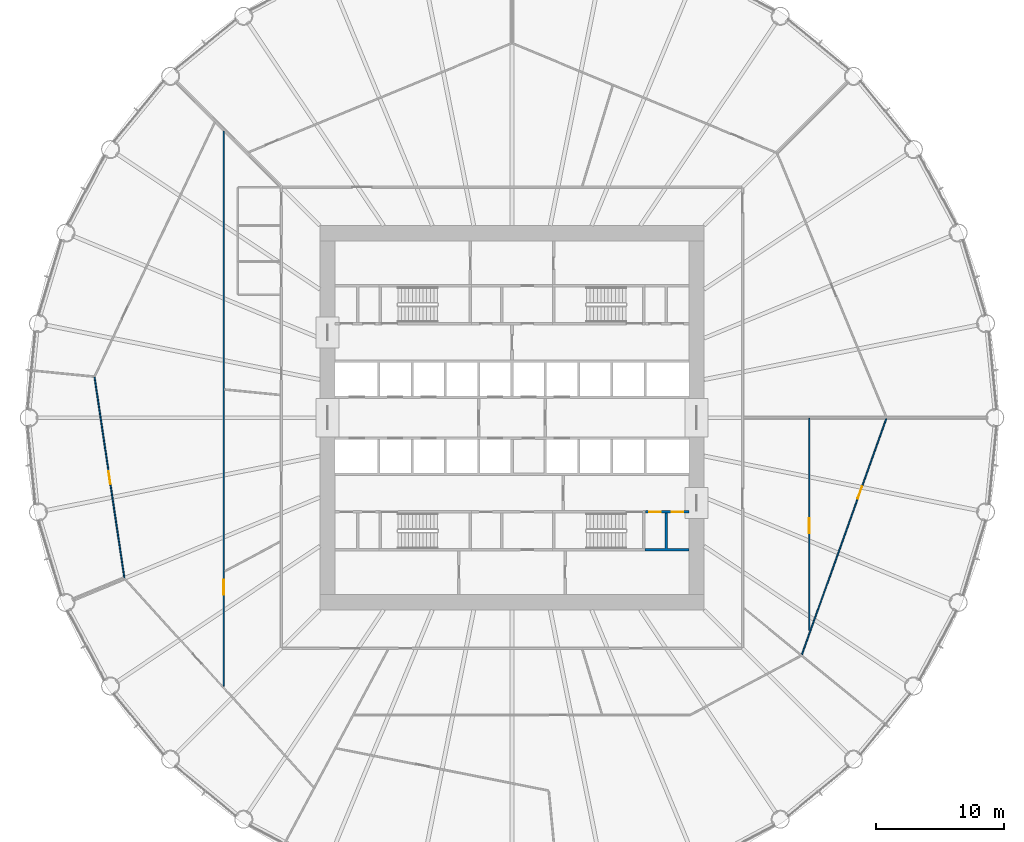
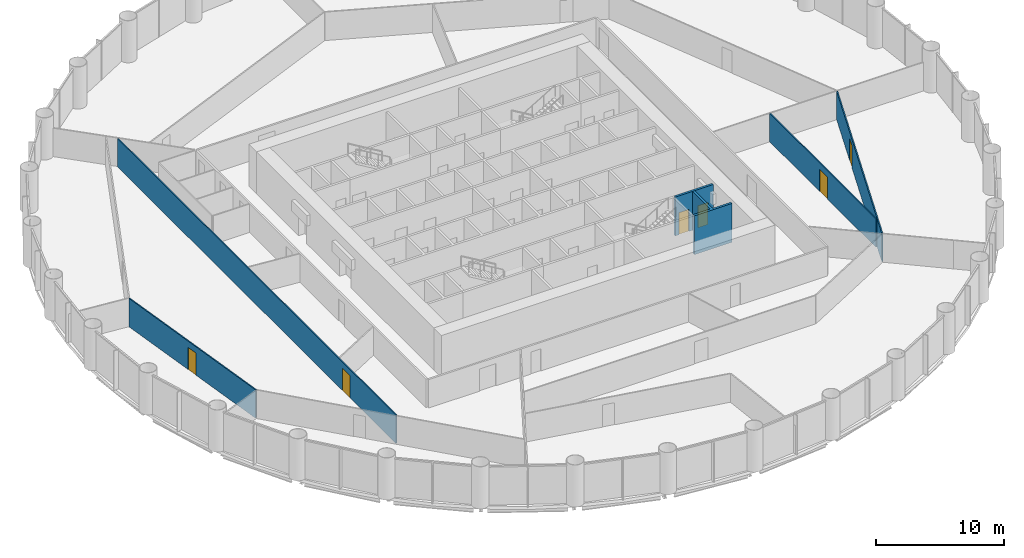
# One storey, part 11 of 15: 6 doors, 6 walls, 6 openings.
"""IFC4 building model written with IfcOpenShell, lengths in metres."""

from ifc_helpers import new_model, si_unit, direction, frame, frame_2d, origin, place, context, subcontext, project, spatial, polyline, rectangle, outline, extrude, material, layer, layer_set, type_object, element, fill, save


model = new_model("IFC4")

# Units and contexts
model_context = context("Model", 3, precision=1e-05, world=origin(), true_north=direction((0.0, 1.0)))
body_context = subcontext(model_context, "Body", "Model", "MODEL_VIEW")
ifc_project = project(units=[si_unit("LENGTHUNIT", "METRE"), si_unit("AREAUNIT", "SQUARE_METRE"), si_unit("VOLUMEUNIT", "CUBIC_METRE"), si_unit("PLANEANGLEUNIT", "RADIAN"), si_unit("MASSUNIT", "GRAM", prefix="KILO")], contexts=[model_context])

# Site, building, storey
site_placement = place(None, origin())
site = spatial("IfcSite", under=ifc_project, at=site_placement, CompositionType="ELEMENT")
building_placement = place(site_placement, origin())
building = spatial("IfcBuilding", under=site, at=building_placement, Name="Corvane Civic Tower", CompositionType="ELEMENT")
storey_placement = place(building_placement, frame((0.0, 0.0, 57.0)))
storey = spatial("IfcBuildingStorey", under=building, at=storey_placement, Name="L12", CompositionType="ELEMENT", Elevation=57.0)

# Wall, openings, doors
ifc_material_1 = material(Name="Concrete C30/37", Category="concrete")
ifc_layer_1 = layer(ifc_material_1, 0.199951171875)
ifc_layer_set_1 = layer_set([ifc_layer_1], Name="Concrete C30/37")
wall_type_1 = type_object("IfcWallType", Name="CR-WALL-200", PredefinedType="PARTITIONING", material=ifc_layer_set_1)
wall_1_placement = place(storey_placement, frame((10.39990234375, -7.35009765625, 0.0), z_axis=(0.0, 0.0, 1.0), x_axis=(1.0, 0.0, 0.0)))
wall_1 = element("IfcWall", 1, at=wall_1_placement, inside=storey, type_object=wall_type_1, Name="L12 core partition wall", PredefinedType="PARTITIONING", context=body_context, shape_type="SweptSolid", body=[
    extrude(rectangle(XDim=3.400146484375, YDim=0.199951171875, at=frame_2d((1.7001953125, 0.0))), origin(), (0.0, 0.0, 1.0), 3.699951171875),
])
opening_1_placement = place(wall_1_placement, frame((0.324951171875, 0.0, 0.0)))
opening_1 = element("IfcOpeningElement", 2, at=opening_1_placement, cuts=wall_1, Name="Opening L12.C18", PredefinedType="OPENING", context=body_context, shape_type="SweptSolid", body=[
    extrude(rectangle(XDim=0.89990234375, YDim=2.10009765625, at=frame_2d((0.449951171875, 1.050048828125))), frame((0.0, 0.10986328125, 0.0), z_axis=(0.0, -1.0, 0.0), x_axis=(1.0, 0.0, 0.0)), (0.0, 0.0, 1.0), 0.219970703125),
])
opening_2_placement = place(wall_1_placement, frame((2.074951171875, 0.0, 0.0)))
opening_2 = element("IfcOpeningElement", 3, at=opening_2_placement, cuts=wall_1, Name="Opening L12.C19", PredefinedType="OPENING", context=body_context, shape_type="SweptSolid", body=[
    extrude(rectangle(XDim=0.89990234375, YDim=2.10009765625, at=frame_2d((0.449951171875, 1.050048828125))), frame((0.0, 0.10986328125, 0.0), z_axis=(0.0, -1.0, 0.0), x_axis=(1.0, 0.0, 0.0)), (0.0, 0.0, 1.0), 0.219970703125),
])
ifc_material_2 = material(Name="Steel fire door leaf", Category="steel")
door_type_1 = type_object("IfcDoorType", Name="CR-DOOR-900", OperationType="SINGLE_SWING_LEFT", PredefinedType="DOOR", material=ifc_material_2)
door_1_placement = place(opening_1_placement, origin())
door_1 = element("IfcDoor", 4, at=door_1_placement, inside=storey, type_object=door_type_1, Name="L12 door", OperationType="SINGLE_SWING_LEFT", OverallHeight=2.10009765625, OverallWidth=0.89990234375, PredefinedType="DOOR", context=body_context, shape_type="SweptSolid", body=[
    extrude(rectangle(XDim=0.89990234375, YDim=2.10009765625, at=frame_2d((0.449951171875, 1.050048828125))), frame((0.0, 0.02490234375, 0.0), z_axis=(0.0, -1.0, 0.0), x_axis=(1.0, 0.0, 0.0)), (0.0, 0.0, 1.0), 0.050048828125),
])
fill(opening_1, door_1)
door_2_placement = place(opening_2_placement, origin())
door_2 = element("IfcDoor", 5, at=door_2_placement, inside=storey, type_object=door_type_1, Name="L12 door", OperationType="SINGLE_SWING_LEFT", OverallHeight=2.10009765625, OverallWidth=0.89990234375, PredefinedType="DOOR", context=body_context, shape_type="SweptSolid", body=[
    extrude(rectangle(XDim=0.89990234375, YDim=2.10009765625, at=frame_2d((0.449951171875, 1.050048828125))), frame((0.0, 0.02490234375, 0.0), z_axis=(0.0, -1.0, 0.0), x_axis=(1.0, 0.0, 0.0)), (0.0, 0.0, 1.0), 0.050048828125),
])
fill(opening_2, door_2)

# Wall
wall_2_placement = place(storey_placement, origin())
element("IfcWall", 6, at=wall_2_placement, inside=storey, type_object=wall_type_1, Name="L12 core partition wall", PredefinedType="PARTITIONING", context=body_context, shape_type="SweptSolid", body=[
    extrude(outline(polyline([(11.949951171875, -7.449951171875), (12.14990234375, -7.449951171875), (12.14990234375, -10.199951171875), (13.800048828125, -10.199951171875), (13.800048828125, -10.39990234375), (10.39990234375, -10.39990234375), (10.39990234375, -10.199951171875), (11.949951171875, -10.199951171875), (11.949951171875, -7.449951171875)])), origin(), (0.0, 0.0, 1.0), 3.699951171875),
])

# Wall, opening, door
ifc_material_3 = material(Name="Plasterboard")
ifc_layer_2 = layer(ifc_material_3, 0.10009765625)
ifc_layer_set_2 = layer_set([ifc_layer_2], Name="Plasterboard")
wall_type_2 = type_object("IfcWallType", Name="Partition 100 plasterboard on studs", PredefinedType="PARTITIONING", material=ifc_layer_set_2)
wall_3_placement = place(storey_placement, frame((-22.5, -20.953369140625, 0.0), z_axis=(0.0, 0.0, 1.0), x_axis=(0.0, 1.0, 0.0)))
wall_3 = element("IfcWall", 7, at=wall_3_placement, inside=storey, type_object=wall_type_2, Name="Partition L12.010", PredefinedType="PARTITIONING", context=body_context, shape_type="SweptSolid", body=[
    extrude(rectangle(XDim=43.332763671875, YDim=0.10009765625, at=frame_2d((21.66650390625, 0.0))), origin(), (0.0, 0.0, 1.0), 2.699951171875),
])
opening_3_placement = place(wall_3_placement, frame((7.12939453125, 0.0, 0.0)))
opening_3 = element("IfcOpeningElement", 8, at=opening_3_placement, cuts=wall_3, Name="Opening L12.011", PredefinedType="OPENING", context=body_context, shape_type="SweptSolid", body=[
    extrude(rectangle(XDim=1.199951171875, YDim=2.10009765625, at=frame_2d((0.60009765625, 1.050048828125))), frame((0.0, 0.06005859375, 0.0), z_axis=(0.0, -1.0, 0.0), x_axis=(1.0, 0.0, 0.0)), (0.0, 0.0, 1.0), 0.1201171875),
])
ifc_material_4 = material(Name="Timber", Category="wood")
door_type_2 = type_object("IfcDoorType", Name="Double door 1200", OperationType="NOTDEFINED", PredefinedType="DOOR", material=ifc_material_4)
door_3_placement = place(opening_3_placement, origin())
door_3 = element("IfcDoor", 9, at=door_3_placement, inside=storey, type_object=door_type_2, Name="Door L12.011", OperationType="DOUBLE_DOOR_SINGLE_SWING", OverallHeight=2.10009765625, OverallWidth=1.199951171875, PredefinedType="DOOR", context=body_context, shape_type="SweptSolid", body=[
    extrude(rectangle(XDim=1.199951171875, YDim=2.10009765625, at=frame_2d((0.60009765625, 1.050048828125))), frame((0.0, 0.02490234375, 0.0), z_axis=(0.0, -1.0, 0.0), x_axis=(1.0, 0.0, 0.0)), (0.0, 0.0, 1.0), 0.050048828125),
])
fill(opening_3, door_3)

wall_4_placement = place(storey_placement, frame((22.62646484375, -18.482666015625, 0.0), z_axis=(0.0, 0.0, 1.0), x_axis=(0.336893799743, 0.941542653147, 0.0)))
wall_4 = element("IfcWall", 10, at=wall_4_placement, inside=storey, type_object=wall_type_2, Name="Partition L12.011", PredefinedType="PARTITIONING", context=body_context, shape_type="SweptSolid", body=[
    extrude(rectangle(XDim=19.55908203125, YDim=0.10009765625, at=frame_2d((9.779541015625, 0.0))), origin(), (0.0, 0.0, 1.0), 2.699951171875),
])
opening_4_placement = place(wall_4_placement, frame((12.93701171875, 0.0, 0.0)))
opening_4 = element("IfcOpeningElement", 11, at=opening_4_placement, cuts=wall_4, Name="Opening L12.001", PredefinedType="OPENING", context=body_context, shape_type="SweptSolid", body=[
    extrude(rectangle(XDim=1.0, YDim=2.10009765625, at=frame_2d((0.5, 1.050048828125))), frame((0.0, 0.06005859375, 0.0), z_axis=(0.0, -1.0, 0.0), x_axis=(1.0, 0.0, 0.0)), (0.0, 0.0, 1.0), 0.1201171875),
])
ifc_material_5 = material(Name="Timber", Category="wood")
door_type_3 = type_object("IfcDoorType", Name="Single door 1000", OperationType="NOTDEFINED", PredefinedType="DOOR", material=ifc_material_5)
door_4_placement = place(opening_4_placement, frame((1.0, 0.0, 0.0), z_axis=(0.0, 0.0, 1.0), x_axis=(-1.0, 0.0, 0.0)))
door_4 = element("IfcDoor", 12, at=door_4_placement, inside=storey, type_object=door_type_3, Name="Door L12.001", OperationType="SINGLE_SWING_LEFT", OverallHeight=2.10009765625, OverallWidth=1.0, PredefinedType="DOOR", context=body_context, shape_type="SweptSolid", body=[
    extrude(rectangle(XDim=1.0, YDim=2.10009765625, at=frame_2d((0.5, 1.050048828125))), frame((0.0, 0.02490234375, 0.0), z_axis=(0.0, -1.0, 0.0), x_axis=(1.0, 0.0, 0.0)), (0.0, 0.0, 1.0), 0.050048828125),
])
fill(opening_4, door_4)

wall_5_placement = place(storey_placement, frame((23.199951171875, -16.591796875, 0.0), z_axis=(0.0, 0.0, 1.0), x_axis=(0.0, 1.0, 0.0)))
wall_5 = element("IfcWall", 13, at=wall_5_placement, inside=storey, type_object=wall_type_2, Name="Partition L12.015", PredefinedType="PARTITIONING", context=body_context, shape_type="SweptSolid", body=[
    extrude(rectangle(XDim=16.541748046875, YDim=0.10009765625, at=frame_2d((8.27099609375, 0.0))), origin(), (0.0, 0.0, 1.0), 2.699951171875),
])
opening_5_placement = place(wall_5_placement, frame((7.56396484375, 0.0, 0.0)))
opening_5 = element("IfcOpeningElement", 14, at=opening_5_placement, cuts=wall_5, Name="Opening L12.003", PredefinedType="OPENING", context=body_context, shape_type="SweptSolid", body=[
    extrude(rectangle(XDim=1.199951171875, YDim=2.10009765625, at=frame_2d((0.60009765625, 1.050048828125))), frame((0.0, 0.06005859375, 0.0), z_axis=(0.0, -1.0, 0.0), x_axis=(1.0, 0.0, 0.0)), (0.0, 0.0, 1.0), 0.1201171875),
])
door_5_placement = place(opening_5_placement, frame((1.199951171875, 0.0, 0.0), z_axis=(0.0, 0.0, 1.0), x_axis=(-1.0, 0.0, 0.0)))
door_5 = element("IfcDoor", 15, at=door_5_placement, inside=storey, type_object=door_type_2, Name="Door L12.003", OperationType="DOUBLE_DOOR_SINGLE_SWING", OverallHeight=2.10009765625, OverallWidth=1.199951171875, PredefinedType="DOOR", context=body_context, shape_type="SweptSolid", body=[
    extrude(rectangle(XDim=1.199951171875, YDim=2.10009765625, at=frame_2d((0.60009765625, 1.050048828125))), frame((0.0, 0.02490234375, 0.0), z_axis=(0.0, -1.0, 0.0), x_axis=(1.0, 0.0, 0.0)), (0.0, 0.0, 1.0), 0.050048828125),
])
fill(opening_5, door_5)

wall_6_placement = place(storey_placement, frame((-32.58056640625, 3.1708984375, 0.0), z_axis=(0.0, 0.0, 1.0), x_axis=(0.146738088934, -0.989175380434, 0.0)))
wall_6 = element("IfcWall", 16, at=wall_6_placement, inside=storey, type_object=wall_type_2, Name="Partition L12.017", PredefinedType="PARTITIONING", context=body_context, shape_type="SweptSolid", body=[
    extrude(rectangle(XDim=15.834228515625, YDim=0.10009765625, at=frame_2d((7.9169921875, 0.0))), origin(), (0.0, 0.0, 1.0), 2.699951171875),
])
opening_6_placement = place(wall_6_placement, frame((7.431396484375, 0.0, 0.0)))
opening_6 = element("IfcOpeningElement", 17, at=opening_6_placement, cuts=wall_6, Name="Opening L12.009", PredefinedType="OPENING", context=body_context, shape_type="SweptSolid", body=[
    extrude(rectangle(XDim=1.0, YDim=2.10009765625, at=frame_2d((0.5, 1.050048828125))), frame((0.0, 0.06005859375, 0.0), z_axis=(0.0, -1.0, 0.0), x_axis=(1.0, 0.0, 0.0)), (0.0, 0.0, 1.0), 0.1201171875),
])
door_6_placement = place(opening_6_placement, frame((1.0, 0.0, 0.0), z_axis=(0.0, 0.0, 1.0), x_axis=(-1.0, 0.0, 0.0)))
door_6 = element("IfcDoor", 18, at=door_6_placement, inside=storey, type_object=door_type_3, Name="Door L12.009", OperationType="SINGLE_SWING_LEFT", OverallHeight=2.10009765625, OverallWidth=1.0, PredefinedType="DOOR", context=body_context, shape_type="SweptSolid", body=[
    extrude(rectangle(XDim=1.0, YDim=2.10009765625, at=frame_2d((0.5, 1.050048828125))), frame((0.0, 0.02490234375, 0.0), z_axis=(0.0, -1.0, 0.0), x_axis=(1.0, 0.0, 0.0)), (0.0, 0.0, 1.0), 0.050048828125),
])
fill(opening_6, door_6)

save(model, "model.ifc")
